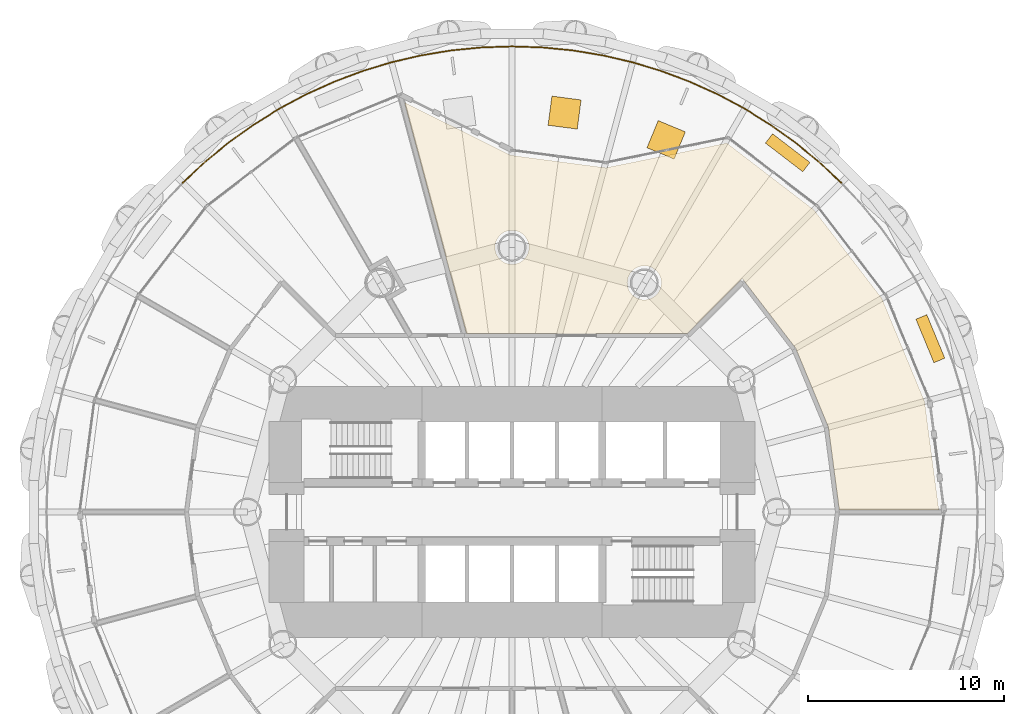
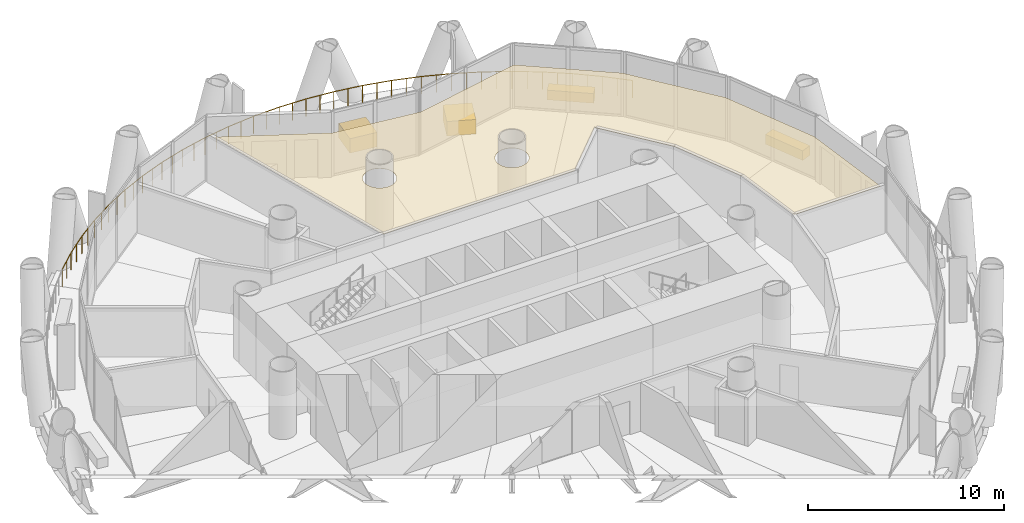
# One storey, part 16 of 16: 5 coverings, 1 railing.
"""IFC4 building model written with IfcOpenShell, lengths in metres."""

from ifc_helpers import new_model, si_unit, direction, frame, origin, origin_2d, place, context, subcontext, project, spatial, polyline, rectangle, circle, outline, extrude, material, layer, layer_set, type_object, element, save


model = new_model("IFC4")

# Units and contexts
model_context = context("Model", 3, precision=1e-05, world=origin(), true_north=direction((0.0, 1.0)))
body_context = subcontext(model_context, "Body", "Model", "MODEL_VIEW")
ifc_project = project(units=[si_unit("LENGTHUNIT", "METRE"), si_unit("AREAUNIT", "SQUARE_METRE"), si_unit("VOLUMEUNIT", "CUBIC_METRE"), si_unit("PLANEANGLEUNIT", "RADIAN"), si_unit("MASSUNIT", "GRAM", prefix="KILO")], contexts=[model_context])

# Site, building, storey
site_placement = place(None, origin())
site = spatial("IfcSite", under=ifc_project, at=site_placement, CompositionType="ELEMENT")
building_placement = place(site_placement, origin())
building = spatial("IfcBuilding", under=site, at=building_placement, Name="Qaws Media Tower", CompositionType="ELEMENT")
storey_placement = place(building_placement, frame((0.0, 0.0, 47.0)))
storey = spatial("IfcBuildingStorey", under=building, at=storey_placement, Name="L09", CompositionType="ELEMENT", Elevation=47.0)

# Railing
ifc_material_1 = material(Name="Stainless steel and glass guard", Category="steel")
railing_type = type_object("IfcRailingType", Name="Balcony guard 1100", PredefinedType="GUARDRAIL", material=ifc_material_1)
railing_placement = place(storey_placement, frame((76.793701171875, 66.793701171875, 0.0)))
element("IfcRailing", 1, at=railing_placement, inside=storey, type_object=railing_type, Name="GR1 balcony guard L09-1", PredefinedType="GUARDRAIL", context=body_context, shape_type="SweptSolid", body=[
    extrude(circle(Radius=0.02392578125, at=origin_2d()), frame((0.0, 0.0, 1.076171875), z_axis=(-0.729821267522, 0.683638001777, 0.0), x_axis=(-0.683638001777, -0.729821267522, 0.0)), (0.0, 0.0, 1.0), 1.55419921875),
    extrude(circle(Radius=0.02392578125, at=origin_2d()), frame((-1.13427734375, 1.0625, 1.076171875), z_axis=(-0.773053617773, 0.634340684529, 0.0), x_axis=(-0.634340684529, -0.773053617773, 0.0)), (0.0, 0.0, 1.0), 1.55419921875),
    extrude(circle(Radius=0.02392578125, at=origin_2d()), frame((-2.335693359375, 2.04833984375, 1.076171875), z_axis=(-0.812819606983, 0.582515481773, 0.0), x_axis=(-0.582515481773, -0.812819606983, 0.0)), (0.0, 0.0, 1.0), 1.553955078125),
    extrude(circle(Radius=0.02392578125, at=origin_2d()), frame((-3.598876953125, 2.95361328125, 1.076171875), z_axis=(-0.849178711534, 0.528105591598, 0.0), x_axis=(-0.528105591598, -0.849178711534, 0.0)), (0.0, 0.0, 1.0), 1.55419921875),
    extrude(circle(Radius=0.02392578125, at=origin_2d()), frame((-4.918701171875, 3.7744140625, 1.076171875), z_axis=(-0.881904644069, 0.471427829863, 0.0), x_axis=(-0.471427829863, -0.881904644069, 0.0)), (0.0, 0.0, 1.0), 1.55419921875),
    extrude(circle(Radius=0.02392578125, at=origin_2d()), frame((-6.289306640625, 4.507080078125, 1.076171875), z_axis=(-0.910892916881, 0.412642816459, 0.0), x_axis=(-0.412642816459, -0.910892916881, 0.0)), (0.0, 0.0, 1.0), 1.55419921875),
    extrude(circle(Radius=0.02392578125, at=origin_2d()), frame((-7.705078125, 5.1484375, 1.076171875), z_axis=(-0.935908829299, 0.352242335956, 0.0), x_axis=(-0.352242335956, -0.935908829299, 0.0)), (0.0, 0.0, 1.0), 1.553955078125),
    extrude(circle(Radius=0.02392578125, at=origin_2d()), frame((-9.159423828125, 5.69580078125, 1.076171875), z_axis=(-0.956939811961, 0.290286403891, 0.0), x_axis=(-0.290286403891, -0.956939811961, 0.0)), (0.0, 0.0, 1.0), 1.55419921875),
    extrude(circle(Radius=0.02392578125, at=origin_2d()), frame((-10.646728515625, 6.14697265625, 1.076171875), z_axis=(-0.97386437695, 0.227130304689, 0.0), x_axis=(-0.227130304689, -0.97386437695, 0.0)), (0.0, 0.0, 1.0), 1.55419921875),
    extrude(circle(Radius=0.02392578125, at=origin_2d()), frame((-12.160400390625, 6.5, 1.076171875), z_axis=(-0.986639094643, 0.162921137125, 0.0), x_axis=(-0.162921137125, -0.986639094643, 0.0)), (0.0, 0.0, 1.0), 1.553955078125),
    extrude(circle(Radius=0.02392578125, at=origin_2d()), frame((-13.693603515625, 6.753173828125, 1.076171875), z_axis=(-0.995185362969, 0.098010679686, 0.0), x_axis=(-0.098010679686, -0.995185362969, 0.0)), (0.0, 0.0, 1.0), 1.554443359375),
    extrude(circle(Radius=0.02392578125, at=origin_2d()), frame((-15.240478515625, 6.905517578125, 1.076171875), z_axis=(-0.999465975293, 0.032676661877, 0.0), x_axis=(-0.032676661877, -0.999465975293, 0.0)), (0.0, 0.0, 1.0), 1.553955078125),
    extrude(circle(Radius=0.02392578125, at=origin_2d()), frame((-16.793701171875, 6.956298828125, 1.076171875), z_axis=(-0.999465975293, -0.032676661877, 0.0), x_axis=(0.032676661877, -0.999465975293, 0.0)), (0.0, 0.0, 1.0), 1.553955078125),
    extrude(circle(Radius=0.02392578125, at=origin_2d()), frame((-18.346923828125, 6.905517578125, 1.076171875), z_axis=(-0.995185362969, -0.098010679686, 0.0), x_axis=(0.098010679686, -0.995185362969, 0.0)), (0.0, 0.0, 1.0), 1.554443359375),
    extrude(circle(Radius=0.02392578125, at=origin_2d()), frame((-19.893798828125, 6.753173828125, 1.076171875), z_axis=(-0.986639094643, -0.162921137125, 0.0), x_axis=(0.162921137125, -0.986639094643, 0.0)), (0.0, 0.0, 1.0), 1.553955078125),
    extrude(circle(Radius=0.02392578125, at=origin_2d()), frame((-21.427001953125, 6.5, 1.076171875), z_axis=(-0.97386437695, -0.227130304689, 0.0), x_axis=(0.227130304689, -0.97386437695, 0.0)), (0.0, 0.0, 1.0), 1.55419921875),
    extrude(circle(Radius=0.02392578125, at=origin_2d()), frame((-22.940673828125, 6.14697265625, 1.076171875), z_axis=(-0.956939811961, -0.290286403891, 0.0), x_axis=(0.290286403891, -0.956939811961, 0.0)), (0.0, 0.0, 1.0), 1.55419921875),
    extrude(circle(Radius=0.02392578125, at=origin_2d()), frame((-24.427978515625, 5.69580078125, 1.076171875), z_axis=(-0.935908829299, -0.352242335956, 0.0), x_axis=(0.352242335956, -0.935908829299, 0.0)), (0.0, 0.0, 1.0), 1.553955078125),
    extrude(circle(Radius=0.02392578125, at=origin_2d()), frame((-25.88232421875, 5.1484375, 1.076171875), z_axis=(-0.910892916881, -0.412642816459, 0.0), x_axis=(0.412642816459, -0.910892916881, 0.0)), (0.0, 0.0, 1.0), 1.55419921875),
    extrude(circle(Radius=0.02392578125, at=origin_2d()), frame((-27.298095703125, 4.507080078125, 1.076171875), z_axis=(-0.881904644069, -0.471427829863, 0.0), x_axis=(0.471427829863, -0.881904644069, 0.0)), (0.0, 0.0, 1.0), 1.55419921875),
    extrude(circle(Radius=0.02392578125, at=origin_2d()), frame((-28.668701171875, 3.7744140625, 1.076171875), z_axis=(-0.849178711534, -0.528105591598, 0.0), x_axis=(0.528105591598, -0.849178711534, 0.0)), (0.0, 0.0, 1.0), 1.55419921875),
    extrude(circle(Radius=0.02392578125, at=origin_2d()), frame((-29.988525390625, 2.95361328125, 1.076171875), z_axis=(-0.812819606983, -0.582515481773, 0.0), x_axis=(0.582515481773, -0.812819606983, 0.0)), (0.0, 0.0, 1.0), 1.553955078125),
    extrude(circle(Radius=0.02392578125, at=origin_2d()), frame((-31.251708984375, 2.04833984375, 1.076171875), z_axis=(-0.773053617773, -0.634340684529, 0.0), x_axis=(0.634340684529, -0.773053617773, 0.0)), (0.0, 0.0, 1.0), 1.55419921875),
    extrude(circle(Radius=0.02392578125, at=origin_2d()), frame((-32.453125, 1.0625, 1.076171875), z_axis=(-0.729821267522, -0.683638001777, 0.0), x_axis=(0.683638001777, -0.729821267522, 0.0)), (0.0, 0.0, 1.0), 1.55419921875),
    extrude(circle(Radius=0.02099609375, at=origin_2d()), origin(), (0.0, 0.0, 1.0), 1.052001953125),
    extrude(circle(Radius=0.02099609375, at=origin_2d()), frame((-0.567138671875, 0.53125, 0.0)), (0.0, 0.0, 1.0), 1.052001953125),
    extrude(circle(Radius=0.02099609375, at=origin_2d()), frame((-1.13427734375, 1.0625, 0.0)), (0.0, 0.0, 1.0), 1.052001953125),
    extrude(circle(Radius=0.02099609375, at=origin_2d()), frame((-1.73486328125, 1.555419921875, 0.0)), (0.0, 0.0, 1.0), 1.052001953125),
    extrude(circle(Radius=0.02099609375, at=origin_2d()), frame((-2.335693359375, 2.04833984375, 0.0)), (0.0, 0.0, 1.0), 1.052001953125),
    extrude(circle(Radius=0.02099609375, at=origin_2d()), frame((-2.96728515625, 2.5009765625, 0.0)), (0.0, 0.0, 1.0), 1.052001953125),
    extrude(circle(Radius=0.02099609375, at=origin_2d()), frame((-3.598876953125, 2.95361328125, 0.0)), (0.0, 0.0, 1.0), 1.052001953125),
    extrude(circle(Radius=0.02099609375, at=origin_2d()), frame((-4.2587890625, 3.364013671875, 0.0)), (0.0, 0.0, 1.0), 1.052001953125),
    extrude(circle(Radius=0.02099609375, at=origin_2d()), frame((-4.918701171875, 3.7744140625, 0.0)), (0.0, 0.0, 1.0), 1.052001953125),
    extrude(circle(Radius=0.02099609375, at=origin_2d()), frame((-5.60400390625, 4.140625, 0.0)), (0.0, 0.0, 1.0), 1.052001953125),
    extrude(circle(Radius=0.02099609375, at=origin_2d()), frame((-6.289306640625, 4.507080078125, 0.0)), (0.0, 0.0, 1.0), 1.052001953125),
    extrude(circle(Radius=0.02099609375, at=origin_2d()), frame((-6.9970703125, 4.82763671875, 0.0)), (0.0, 0.0, 1.0), 1.052001953125),
    extrude(circle(Radius=0.02099609375, at=origin_2d()), frame((-7.705078125, 5.1484375, 0.0)), (0.0, 0.0, 1.0), 1.052001953125),
    extrude(circle(Radius=0.02099609375, at=origin_2d()), frame((-8.43212890625, 5.422119140625, 0.0)), (0.0, 0.0, 1.0), 1.052001953125),
    extrude(circle(Radius=0.02099609375, at=origin_2d()), frame((-9.159423828125, 5.69580078125, 0.0)), (0.0, 0.0, 1.0), 1.052001953125),
    extrude(circle(Radius=0.02099609375, at=origin_2d()), frame((-9.903076171875, 5.92138671875, 0.0)), (0.0, 0.0, 1.0), 1.052001953125),
    extrude(circle(Radius=0.02099609375, at=origin_2d()), frame((-10.646728515625, 6.14697265625, 0.0)), (0.0, 0.0, 1.0), 1.052001953125),
    extrude(circle(Radius=0.02099609375, at=origin_2d()), frame((-11.403564453125, 6.323486328125, 0.0)), (0.0, 0.0, 1.0), 1.052001953125),
    extrude(circle(Radius=0.02099609375, at=origin_2d()), frame((-12.160400390625, 6.5, 0.0)), (0.0, 0.0, 1.0), 1.052001953125),
    extrude(circle(Radius=0.02099609375, at=origin_2d()), frame((-12.927001953125, 6.62646484375, 0.0)), (0.0, 0.0, 1.0), 1.052001953125),
    extrude(circle(Radius=0.02099609375, at=origin_2d()), frame((-13.693603515625, 6.753173828125, 0.0)), (0.0, 0.0, 1.0), 1.052001953125),
    extrude(circle(Radius=0.02099609375, at=origin_2d()), frame((-14.467041015625, 6.829345703125, 0.0)), (0.0, 0.0, 1.0), 1.052001953125),
    extrude(circle(Radius=0.02099609375, at=origin_2d()), frame((-15.240478515625, 6.905517578125, 0.0)), (0.0, 0.0, 1.0), 1.052001953125),
    extrude(circle(Radius=0.02099609375, at=origin_2d()), frame((-16.01708984375, 6.930908203125, 0.0)), (0.0, 0.0, 1.0), 1.052001953125),
    extrude(circle(Radius=0.02099609375, at=origin_2d()), frame((-16.793701171875, 6.956298828125, 0.0)), (0.0, 0.0, 1.0), 1.052001953125),
    extrude(circle(Radius=0.02099609375, at=origin_2d()), frame((-17.5703125, 6.930908203125, 0.0)), (0.0, 0.0, 1.0), 1.052001953125),
    extrude(circle(Radius=0.02099609375, at=origin_2d()), frame((-18.346923828125, 6.905517578125, 0.0)), (0.0, 0.0, 1.0), 1.052001953125),
    extrude(circle(Radius=0.02099609375, at=origin_2d()), frame((-19.120361328125, 6.829345703125, 0.0)), (0.0, 0.0, 1.0), 1.052001953125),
    extrude(circle(Radius=0.02099609375, at=origin_2d()), frame((-19.893798828125, 6.753173828125, 0.0)), (0.0, 0.0, 1.0), 1.052001953125),
    extrude(circle(Radius=0.02099609375, at=origin_2d()), frame((-20.660400390625, 6.62646484375, 0.0)), (0.0, 0.0, 1.0), 1.052001953125),
    extrude(circle(Radius=0.02099609375, at=origin_2d()), frame((-21.427001953125, 6.5, 0.0)), (0.0, 0.0, 1.0), 1.052001953125),
    extrude(circle(Radius=0.02099609375, at=origin_2d()), frame((-22.183837890625, 6.323486328125, 0.0)), (0.0, 0.0, 1.0), 1.052001953125),
    extrude(circle(Radius=0.02099609375, at=origin_2d()), frame((-22.940673828125, 6.14697265625, 0.0)), (0.0, 0.0, 1.0), 1.052001953125),
    extrude(circle(Radius=0.02099609375, at=origin_2d()), frame((-23.684326171875, 5.92138671875, 0.0)), (0.0, 0.0, 1.0), 1.052001953125),
    extrude(circle(Radius=0.02099609375, at=origin_2d()), frame((-24.427978515625, 5.69580078125, 0.0)), (0.0, 0.0, 1.0), 1.052001953125),
    extrude(circle(Radius=0.02099609375, at=origin_2d()), frame((-25.1552734375, 5.422119140625, 0.0)), (0.0, 0.0, 1.0), 1.052001953125),
    extrude(circle(Radius=0.02099609375, at=origin_2d()), frame((-25.88232421875, 5.1484375, 0.0)), (0.0, 0.0, 1.0), 1.052001953125),
    extrude(circle(Radius=0.02099609375, at=origin_2d()), frame((-26.59033203125, 4.82763671875, 0.0)), (0.0, 0.0, 1.0), 1.052001953125),
    extrude(circle(Radius=0.02099609375, at=origin_2d()), frame((-27.298095703125, 4.507080078125, 0.0)), (0.0, 0.0, 1.0), 1.052001953125),
    extrude(circle(Radius=0.02099609375, at=origin_2d()), frame((-27.9833984375, 4.140625, 0.0)), (0.0, 0.0, 1.0), 1.052001953125),
    extrude(circle(Radius=0.02099609375, at=origin_2d()), frame((-28.668701171875, 3.7744140625, 0.0)), (0.0, 0.0, 1.0), 1.052001953125),
    extrude(circle(Radius=0.02099609375, at=origin_2d()), frame((-29.32861328125, 3.364013671875, 0.0)), (0.0, 0.0, 1.0), 1.052001953125),
    extrude(circle(Radius=0.02099609375, at=origin_2d()), frame((-29.988525390625, 2.95361328125, 0.0)), (0.0, 0.0, 1.0), 1.052001953125),
    extrude(circle(Radius=0.02099609375, at=origin_2d()), frame((-30.6201171875, 2.5009765625, 0.0)), (0.0, 0.0, 1.0), 1.052001953125),
    extrude(circle(Radius=0.02099609375, at=origin_2d()), frame((-31.251708984375, 2.04833984375, 0.0)), (0.0, 0.0, 1.0), 1.052001953125),
    extrude(circle(Radius=0.02099609375, at=origin_2d()), frame((-31.8525390625, 1.555419921875, 0.0)), (0.0, 0.0, 1.0), 1.052001953125),
    extrude(circle(Radius=0.02099609375, at=origin_2d()), frame((-32.453125, 1.0625, 0.0)), (0.0, 0.0, 1.0), 1.052001953125),
    extrude(circle(Radius=0.02099609375, at=origin_2d()), frame((-33.020263671875, 0.53125, 0.0)), (0.0, 0.0, 1.0), 1.052001953125),
    extrude(circle(Radius=0.02099609375, at=origin_2d()), frame((-33.58740234375, 0.0, 0.0)), (0.0, 0.0, 1.0), 1.052001953125),
])

# Coverings
ifc_material_2 = material(Name="600 x 600 mineral fibre tiles in exposed grid, suspended", Category="mineral fibre")
ifc_layer_1 = layer(ifc_material_2, 0.02001953125)
ifc_layer_set_1 = layer_set([ifc_layer_1], Name="Mineral fibre tile ceiling 20")
covering_type_1 = type_object("IfcCoveringType", Name="Mineral fibre tile ceiling 20", PredefinedType="CEILING", material=ifc_layer_set_1)
covering_placement = place(storey_placement, frame((0.0, 0.0, 2.85009765625)))
element("IfcCovering", 2, at=covering_placement, inside=storey, type_object=covering_type_1, Name="CL1 ceiling L09-02 Production office", PredefinedType="CEILING", context=body_context, shape_type="SweptSolid", body=[
    extrude(outline(polyline([(59.922119140625, 68.195556640625), (64.78466796875, 67.555419921875), (70.960205078125, 68.814697265625), (75.404541015625, 65.404541015625), (78.86669921875, 60.892578125), (81.04296875, 55.638427734375), (81.7705078125, 50.112548828125), (76.69873046875, 50.112548828125), (76.14404296875, 54.32568359375), (74.474365234375, 58.356689453125), (71.7490234375, 61.908203125), (68.953369140625, 59.112548828125), (57.6748046875, 59.112548828125), (54.518310546875, 70.892822265625), (59.922119140625, 68.195556640625)]), holes=[polyline([(60.8046875, 63.166748046875), (60.84130859375, 63.274658203125), (60.863525390625, 63.38623046875), (60.87109375, 63.5), (60.863525390625, 63.61376953125), (60.84130859375, 63.725341796875), (60.8046875, 63.833251953125), (60.75439453125, 63.935546875), (60.69091796875, 64.0302734375), (60.615966796875, 64.115966796875), (60.5302734375, 64.19091796875), (60.435546875, 64.25439453125), (60.333251953125, 64.3046875), (60.225341796875, 64.34130859375), (60.11376953125, 64.363525390625), (60.0, 64.37109375), (59.88623046875, 64.363525390625), (59.774658203125, 64.34130859375), (59.666748046875, 64.3046875), (59.564453125, 64.25439453125), (59.4697265625, 64.19091796875), (59.384033203125, 64.115966796875), (59.30908203125, 64.0302734375), (59.24560546875, 63.935546875), (59.1953125, 63.833251953125), (59.15869140625, 63.725341796875), (59.136474609375, 63.61376953125), (59.12890625, 63.5), (59.136474609375, 63.38623046875), (59.15869140625, 63.274658203125), (59.1953125, 63.166748046875), (59.24560546875, 63.064453125), (59.30908203125, 62.9697265625), (59.384033203125, 62.884033203125), (59.4697265625, 62.80908203125), (59.564453125, 62.74560546875), (59.666748046875, 62.6953125), (59.774658203125, 62.65869140625), (59.88623046875, 62.636474609375), (60.0, 62.62890625), (60.11376953125, 62.636474609375), (60.225341796875, 62.65869140625), (60.333251953125, 62.6953125), (60.435546875, 62.74560546875), (60.5302734375, 62.80908203125), (60.615966796875, 62.884033203125), (60.69091796875, 62.9697265625), (60.75439453125, 63.064453125), (60.8046875, 63.166748046875)]), polyline([(67.5546875, 61.35791015625), (67.59130859375, 61.4658203125), (67.613525390625, 61.57763671875), (67.62109375, 61.69140625), (67.613525390625, 61.804931640625), (67.59130859375, 61.916748046875), (67.5546875, 62.024658203125), (67.50439453125, 62.126708984375), (67.44091796875, 62.2216796875), (67.365966796875, 62.30712890625), (67.2802734375, 62.38232421875), (67.185546875, 62.44580078125), (67.083251953125, 62.49609375), (66.975341796875, 62.53271484375), (66.86376953125, 62.554931640625), (66.75, 62.562255859375), (66.63623046875, 62.554931640625), (66.524658203125, 62.53271484375), (66.416748046875, 62.49609375), (66.314453125, 62.44580078125), (66.2197265625, 62.38232421875), (66.134033203125, 62.30712890625), (66.05908203125, 62.2216796875), (65.99560546875, 62.126708984375), (65.9453125, 62.024658203125), (65.90869140625, 61.916748046875), (65.886474609375, 61.804931640625), (65.87890625, 61.69140625), (65.886474609375, 61.57763671875), (65.90869140625, 61.4658203125), (65.9453125, 61.35791015625), (65.99560546875, 61.255859375), (66.05908203125, 61.1611328125), (66.134033203125, 61.075439453125), (66.2197265625, 61.000244140625), (66.314453125, 60.93701171875), (66.416748046875, 60.88671875), (66.524658203125, 60.85009765625), (66.63623046875, 60.827880859375), (66.75, 60.8203125), (66.86376953125, 60.827880859375), (66.975341796875, 60.85009765625), (67.083251953125, 60.88671875), (67.185546875, 60.93701171875), (67.2802734375, 61.000244140625), (67.365966796875, 61.075439453125), (67.44091796875, 61.1611328125), (67.50439453125, 61.255859375), (67.5546875, 61.35791015625)])]), origin(), (0.0, 0.0, 1.0), 0.02001953125),
])
ifc_material_3 = material(Name="Precast concrete planter with trailing planting", Category="concrete")
ifc_layer_2 = layer(ifc_material_3, 0.60009765625)
ifc_layer_set_2 = layer_set([ifc_layer_2], Name="Planter 2400x600")
covering_type_2 = type_object("IfcCoveringType", Name="Planter 2400x600", PredefinedType="USERDEFINED", material=ifc_layer_set_2)
for number, where, z_axis, x_axis, name in (
    (3, (81.341552734375, 58.840087890625, 0.0), (0.0, 0.0, 1.0), (-0.382683432365, 0.923879532511, 0.0), "PL1 balcony planter L09-01"),
    (4, (74.0625, 68.326416015625, 0.0), (0.0, 0.0, 1.0), (-0.793353340291, 0.608761429009, 0.0), "PL1 balcony planter L09-02"),
):
    element("IfcCovering", number, at=place(storey_placement, frame(where, z_axis=z_axis, x_axis=x_axis)), inside=storey, type_object=covering_type_2, Name=name, ObjectType="PLANTER", PredefinedType="USERDEFINED", context=body_context, shape_type="SweptSolid", body=[
        extrude(rectangle(XDim=2.39990234375, YDim=0.60009765625, at=origin_2d()), origin(), (0.0, 0.0, 1.0), 0.60009765625),
    ])
ifc_material_4 = material(Name="Precast concrete tree planter", Category="concrete")
ifc_layer_3 = layer(ifc_material_4, 0.89990234375)
ifc_layer_set_3 = layer_set([ifc_layer_3], Name="Tree planter 1500")
covering_type_3 = type_object("IfcCoveringType", Name="Tree planter 1500", PredefinedType="USERDEFINED", material=ifc_layer_set_3)
for number, where, z_axis, x_axis, name in (
    (5, (67.8642578125, 68.98583984375, 0.0), (0.0, 0.0, 1.0), (0.382683432365, 0.923879532511, 0.0), "PL2 sky garden tree planter L09-1"),
    (6, (62.682373046875, 70.374267578125, 0.0), (0.0, 0.0, 1.0), (0.13052619222, 0.991444861374, 0.0), "PL2 sky garden tree planter L09-2"),
):
    element("IfcCovering", number, at=place(storey_placement, frame(where, z_axis=z_axis, x_axis=x_axis)), inside=storey, type_object=covering_type_3, Name=name, ObjectType="PLANTER", PredefinedType="USERDEFINED", context=body_context, shape_type="SweptSolid", body=[
        extrude(rectangle(XDim=1.5, YDim=1.5, at=origin_2d()), origin(), (0.0, 0.0, 1.0), 0.89990234375),
    ])

save(model, "model.ifc")
